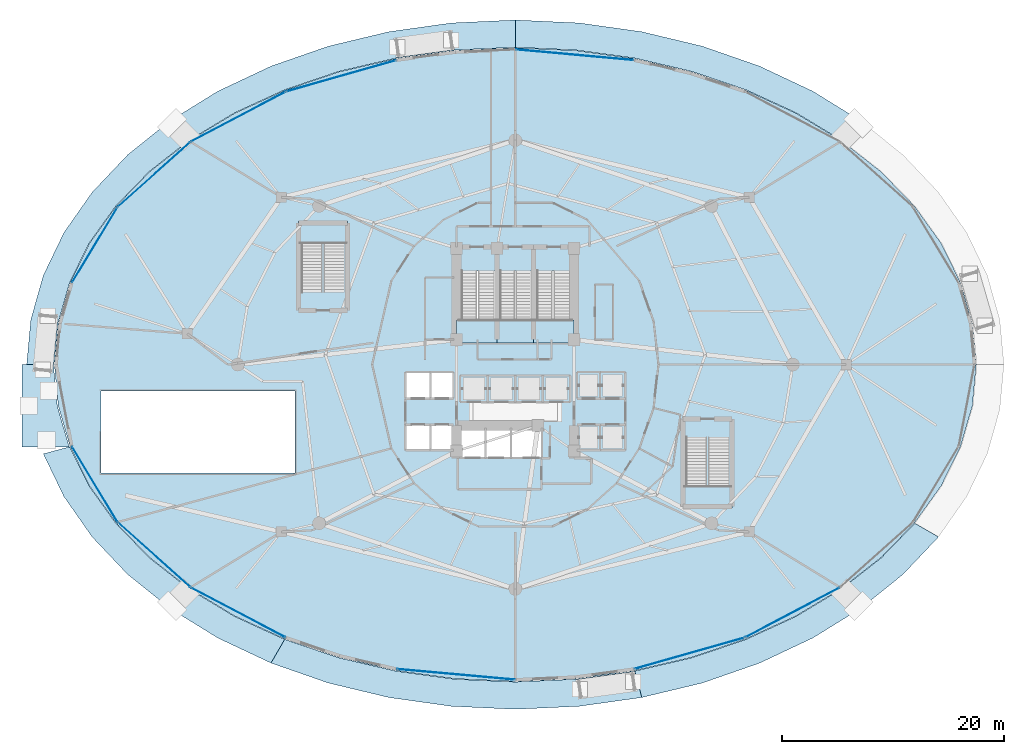
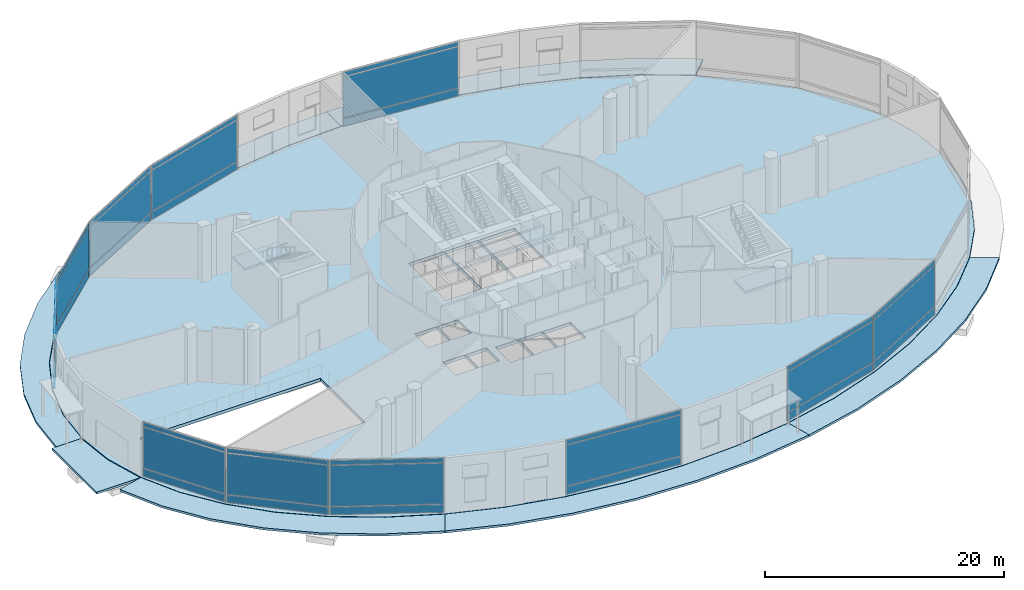
# One storey, part 29 of 40: 33 plates, 13 slabs, 16 elements without a shape of their own.
"""IFC4 building model written with IfcOpenShell, lengths in metres."""

from ifc_helpers import new_model, si_unit, direction, frame, origin, origin_2d, place, context, subcontext, project, spatial, polyline, rectangle, outline, extrude, material, layer, layer_set, type_object, element, aggregate, save


model = new_model("IFC4")

# Units and contexts
model_context = context("Model", 3, precision=1e-05, world=origin(), true_north=direction((0.0, 1.0)))
body_context = subcontext(model_context, "Body", "Model", "MODEL_VIEW")
ifc_project = project(units=[si_unit("LENGTHUNIT", "METRE"), si_unit("AREAUNIT", "SQUARE_METRE"), si_unit("VOLUMEUNIT", "CUBIC_METRE"), si_unit("PLANEANGLEUNIT", "RADIAN"), si_unit("MASSUNIT", "GRAM", prefix="KILO")], contexts=[model_context])

# Site, building, storey
site_placement = place(None, origin())
site = spatial("IfcSite", under=ifc_project, at=site_placement, CompositionType="ELEMENT")
building_placement = place(site_placement, origin())
building = spatial("IfcBuilding", under=site, at=building_placement, Name="Nuhasar Tower", CompositionType="ELEMENT")
storey_placement = place(building_placement, origin())
storey = spatial("IfcBuildingStorey", under=building, at=storey_placement, Name="L00", CompositionType="ELEMENT", Elevation=0.0)

# Curtain wall, plates
ifc_material_1 = material(Name="Aluminium 6063-T6", Category="aluminium")
ifc_layer_1 = layer(ifc_material_1, 0.219970703125)
ifc_layer_set_1 = layer_set([ifc_layer_1], Name="Aluminium 6063-T6")
curtain_wall_type = type_object("IfcCurtainWallType", Name="CW-PODIUM", PredefinedType="NOTDEFINED", material=ifc_layer_set_1)
curtain_wall_1_placement = place(storey_placement, origin())
curtain_wall_1 = element("IfcCurtainWall", 1, at=curtain_wall_1_placement, inside=storey, type_object=curtain_wall_type, Name="L00 Podium Curtain Wall Bay 06", PredefinedType="NOTDEFINED")
ifc_material_2 = material(Name="Glass Double Low-E", Category="glass")
ifc_layer_2 = layer(ifc_material_2, 0.028076171875)
ifc_layer_set_2 = layer_set([ifc_layer_2], Name="Glass Double Low-E")
plate_type_1 = type_object("IfcPlateType", Name="CW-PANEL-GLZ", PredefinedType="CURTAIN_PANEL", material=ifc_layer_set_2)
plate_1_placement = place(storey_placement, frame((44.362548828125, 54.755615234375, 0.9375), z_axis=(0.0, 0.0, 1.0), x_axis=(-0.995943289888, 0.089983128015, 0.0)))
plate_1 = element("IfcPlate", 2, at=plate_1_placement, type_object=plate_type_1, Name="CW-P1 panel 1.2", PredefinedType="CURTAIN_PANEL", context=body_context, shape_type="SweptSolid", body=[
    extrude(rectangle(XDim=10.61865234375, YDim=0.028076171875, at=origin_2d()), origin(), (0.0, 0.0, 1.0), 4.175048828125),
])
plate_2_placement = place(storey_placement, frame((44.362548828125, 54.755615234375, 5.1875), z_axis=(0.0, 0.0, 1.0), x_axis=(-0.995943289888, 0.089983128015, 0.0)))
plate_2 = element("IfcPlate", 3, at=plate_2_placement, type_object=plate_type_1, Name="CW-P1 panel 1.3", PredefinedType="CURTAIN_PANEL", context=body_context, shape_type="SweptSolid", body=[
    extrude(rectangle(XDim=10.61865234375, YDim=0.028076171875, at=origin_2d()), origin(), (0.0, 0.0, 1.0), 0.4375),
])

curtain_wall_2_placement = place(storey_placement, origin())
curtain_wall_2 = element("IfcCurtainWall", 4, at=curtain_wall_2_placement, inside=storey, type_object=curtain_wall_type, Name="L00 Podium Curtain Wall Bay 08", PredefinedType="NOTDEFINED")
plate_3_placement = place(storey_placement, frame((23.277587890625, 52.8505859375, 0.9375), z_axis=(0.0, 0.0, 1.0), x_axis=(-0.961897112821, -0.273411675586, 0.0)))
plate_3 = element("IfcPlate", 5, at=plate_3_placement, type_object=plate_type_1, Name="CW-P1 panel 1.2", PredefinedType="CURTAIN_PANEL", context=body_context, shape_type="SweptSolid", body=[
    extrude(rectangle(XDim=10.240966796875, YDim=0.028076171875, at=origin_2d()), origin(), (0.0, 0.0, 1.0), 4.175048828125),
])
plate_4_placement = place(storey_placement, frame((23.277587890625, 52.8505859375, 5.1875), z_axis=(0.0, 0.0, 1.0), x_axis=(-0.961897112821, -0.273411675586, 0.0)))
plate_4 = element("IfcPlate", 6, at=plate_4_placement, type_object=plate_type_1, Name="CW-P1 panel 1.3", PredefinedType="CURTAIN_PANEL", context=body_context, shape_type="SweptSolid", body=[
    extrude(rectangle(XDim=10.240966796875, YDim=0.028076171875, at=origin_2d()), origin(), (0.0, 0.0, 1.0), 0.4375),
])

curtain_wall_3_placement = place(storey_placement, origin())
curtain_wall_3 = element("IfcCurtainWall", 7, at=curtain_wall_3_placement, inside=storey, type_object=curtain_wall_type, Name="L00 Podium Curtain Wall Bay 09", PredefinedType="NOTDEFINED")
plate_5_placement = place(storey_placement, frame((13.988525390625, 49.169921875, 0.9375), z_axis=(0.0, 0.0, 1.0), x_axis=(-0.88480638751, -0.46595885722, 0.0)))
plate_5 = element("IfcPlate", 8, at=plate_5_placement, type_object=plate_type_1, Name="CW-P1 panel 1.2", PredefinedType="CURTAIN_PANEL", context=body_context, shape_type="SweptSolid", body=[
    extrude(rectangle(XDim=9.550537109375, YDim=0.028076171875, at=origin_2d()), origin(), (0.0, 0.0, 1.0), 4.175048828125),
])
plate_6_placement = place(storey_placement, frame((13.988525390625, 49.169921875, 5.1875), z_axis=(0.0, 0.0, 1.0), x_axis=(-0.88480638751, -0.46595885722, 0.0)))
plate_6 = element("IfcPlate", 9, at=plate_6_placement, type_object=plate_type_1, Name="CW-P1 panel 1.3", PredefinedType="CURTAIN_PANEL", context=body_context, shape_type="SweptSolid", body=[
    extrude(rectangle(XDim=9.550537109375, YDim=0.028076171875, at=origin_2d()), origin(), (0.0, 0.0, 1.0), 0.4375),
])

curtain_wall_4_placement = place(storey_placement, origin())
curtain_wall_4 = element("IfcCurtainWall", 10, at=curtain_wall_4_placement, inside=storey, type_object=curtain_wall_type, Name="L00 Podium Curtain Wall Bay 10", PredefinedType="NOTDEFINED")
plate_7_placement = place(storey_placement, frame((6.404541015625, 43.965087890625, 0.9375), z_axis=(0.0, 0.0, 1.0), x_axis=(-0.745344915348, -0.666679051092, 0.0)))
plate_7 = element("IfcPlate", 11, at=plate_7_placement, type_object=plate_type_1, Name="CW-P1 panel 1.2", PredefinedType="CURTAIN_PANEL", context=body_context, shape_type="SweptSolid", body=[
    extrude(rectangle(XDim=8.684814453125, YDim=0.028076171875, at=origin_2d()), origin(), (0.0, 0.0, 1.0), 4.175048828125),
])
plate_8_placement = place(storey_placement, frame((6.404541015625, 43.965087890625, 5.1875), z_axis=(0.0, 0.0, 1.0), x_axis=(-0.745344915348, -0.666679051092, 0.0)))
plate_8 = element("IfcPlate", 12, at=plate_8_placement, type_object=plate_type_1, Name="CW-P1 panel 1.3", PredefinedType="CURTAIN_PANEL", context=body_context, shape_type="SweptSolid", body=[
    extrude(rectangle(XDim=8.684814453125, YDim=0.028076171875, at=origin_2d()), origin(), (0.0, 0.0, 1.0), 0.4375),
])

curtain_wall_5_placement = place(storey_placement, origin())
curtain_wall_5 = element("IfcCurtainWall", 13, at=curtain_wall_5_placement, inside=storey, type_object=curtain_wall_type, Name="L00 Podium Curtain Wall Bay 11", PredefinedType="NOTDEFINED")
plate_9_placement = place(storey_placement, frame((1.0419921875, 37.590576171875, 0.9375), z_axis=(0.0, 0.0, 1.0), x_axis=(-0.516751732158, -0.856135297317, 0.0)))
plate_9 = element("IfcPlate", 14, at=plate_9_placement, type_object=plate_type_1, Name="CW-P1 panel 1.2", PredefinedType="CURTAIN_PANEL", context=body_context, shape_type="SweptSolid", body=[
    extrude(rectangle(XDim=7.861572265625, YDim=0.028076171875, at=origin_2d()), origin(), (0.0, 0.0, 1.0), 4.175048828125),
])
plate_10_placement = place(storey_placement, frame((1.0419921875, 37.590576171875, 5.1875), z_axis=(0.0, 0.0, 1.0), x_axis=(-0.516751732158, -0.856135297317, 0.0)))
plate_10 = element("IfcPlate", 15, at=plate_10_placement, type_object=plate_type_1, Name="CW-P1 panel 1.3", PredefinedType="CURTAIN_PANEL", context=body_context, shape_type="SweptSolid", body=[
    extrude(rectangle(XDim=7.861572265625, YDim=0.028076171875, at=origin_2d()), origin(), (0.0, 0.0, 1.0), 0.4375),
])

curtain_wall_6_placement = place(storey_placement, origin())
curtain_wall_6 = element("IfcCurtainWall", 16, at=curtain_wall_6_placement, inside=storey, type_object=curtain_wall_type, Name="L00 Podium Curtain Wall Bay 14", PredefinedType="NOTDEFINED")
plate_11_placement = place(storey_placement, frame((1.0419921875, 16.009521484375, 0.9375), z_axis=(0.0, 0.0, 1.0), x_axis=(0.516751732158, -0.856135297317, 0.0)))
plate_11 = element("IfcPlate", 17, at=plate_11_placement, type_object=plate_type_1, Name="CW-P1 panel 1.2", PredefinedType="CURTAIN_PANEL", context=body_context, shape_type="SweptSolid", body=[
    extrude(rectangle(XDim=7.861572265625, YDim=0.028076171875, at=origin_2d()), origin(), (0.0, 0.0, 1.0), 4.175048828125),
])
plate_12_placement = place(storey_placement, frame((1.0419921875, 16.009521484375, 5.1875), z_axis=(0.0, 0.0, 1.0), x_axis=(0.516751732158, -0.856135297317, 0.0)))
plate_12 = element("IfcPlate", 18, at=plate_12_placement, type_object=plate_type_1, Name="CW-P1 panel 1.3", PredefinedType="CURTAIN_PANEL", context=body_context, shape_type="SweptSolid", body=[
    extrude(rectangle(XDim=7.861572265625, YDim=0.028076171875, at=origin_2d()), origin(), (0.0, 0.0, 1.0), 0.4375),
])

curtain_wall_7_placement = place(storey_placement, origin())
curtain_wall_7 = element("IfcCurtainWall", 19, at=curtain_wall_7_placement, inside=storey, type_object=curtain_wall_type, Name="L00 Podium Curtain Wall Bay 15", PredefinedType="NOTDEFINED")
plate_13_placement = place(storey_placement, frame((6.404541015625, 9.635009765625, 0.9375), z_axis=(0.0, 0.0, 1.0), x_axis=(0.745344915348, -0.666679051092, 0.0)))
plate_13 = element("IfcPlate", 20, at=plate_13_placement, type_object=plate_type_1, Name="CW-P1 panel 1.2", PredefinedType="CURTAIN_PANEL", context=body_context, shape_type="SweptSolid", body=[
    extrude(rectangle(XDim=8.684814453125, YDim=0.028076171875, at=origin_2d()), origin(), (0.0, 0.0, 1.0), 4.175048828125),
])
plate_14_placement = place(storey_placement, frame((6.404541015625, 9.635009765625, 5.1875), z_axis=(0.0, 0.0, 1.0), x_axis=(0.745344915348, -0.666679051092, 0.0)))
plate_14 = element("IfcPlate", 21, at=plate_14_placement, type_object=plate_type_1, Name="CW-P1 panel 1.3", PredefinedType="CURTAIN_PANEL", context=body_context, shape_type="SweptSolid", body=[
    extrude(rectangle(XDim=8.684814453125, YDim=0.028076171875, at=origin_2d()), origin(), (0.0, 0.0, 1.0), 0.4375),
])

curtain_wall_8_placement = place(storey_placement, origin())
curtain_wall_8 = element("IfcCurtainWall", 22, at=curtain_wall_8_placement, inside=storey, type_object=curtain_wall_type, Name="L00 Podium Curtain Wall Bay 16", PredefinedType="NOTDEFINED")
plate_15_placement = place(storey_placement, frame((13.988525390625, 4.429931640625, 0.9375), z_axis=(0.0, 0.0, 1.0), x_axis=(0.88480638751, -0.46595885722, 0.0)))
plate_15 = element("IfcPlate", 23, at=plate_15_placement, type_object=plate_type_1, Name="CW-P1 panel 1.2", PredefinedType="CURTAIN_PANEL", context=body_context, shape_type="SweptSolid", body=[
    extrude(rectangle(XDim=9.550537109375, YDim=0.028076171875, at=origin_2d()), origin(), (0.0, 0.0, 1.0), 4.175048828125),
])
plate_16_placement = place(storey_placement, frame((13.988525390625, 4.429931640625, 5.1875), z_axis=(0.0, 0.0, 1.0), x_axis=(0.88480638751, -0.46595885722, 0.0)))
plate_16 = element("IfcPlate", 24, at=plate_16_placement, type_object=plate_type_1, Name="CW-P1 panel 1.3", PredefinedType="CURTAIN_PANEL", context=body_context, shape_type="SweptSolid", body=[
    extrude(rectangle(XDim=9.550537109375, YDim=0.028076171875, at=origin_2d()), origin(), (0.0, 0.0, 1.0), 0.4375),
])

curtain_wall_9_placement = place(storey_placement, origin())
curtain_wall_9 = element("IfcCurtainWall", 25, at=curtain_wall_9_placement, inside=storey, type_object=curtain_wall_type, Name="L00 Podium Curtain Wall Bay 18", PredefinedType="NOTDEFINED")
plate_17_placement = place(storey_placement, frame((33.637451171875, -1.155517578125, 0.9375), z_axis=(0.0, 0.0, 1.0), x_axis=(0.995943289888, -0.089983128015, 0.0)))
plate_17 = element("IfcPlate", 26, at=plate_17_placement, type_object=plate_type_1, Name="CW-P1 panel 1.2", PredefinedType="CURTAIN_PANEL", context=body_context, shape_type="SweptSolid", body=[
    extrude(rectangle(XDim=10.61865234375, YDim=0.028076171875, at=origin_2d()), origin(), (0.0, 0.0, 1.0), 4.175048828125),
])
plate_18_placement = place(storey_placement, frame((33.637451171875, -1.155517578125, 5.1875), z_axis=(0.0, 0.0, 1.0), x_axis=(0.995943289888, -0.089983128015, 0.0)))
plate_18 = element("IfcPlate", 27, at=plate_18_placement, type_object=plate_type_1, Name="CW-P1 panel 1.3", PredefinedType="CURTAIN_PANEL", context=body_context, shape_type="SweptSolid", body=[
    extrude(rectangle(XDim=10.61865234375, YDim=0.028076171875, at=origin_2d()), origin(), (0.0, 0.0, 1.0), 0.4375),
])

curtain_wall_10_placement = place(storey_placement, origin())
curtain_wall_10 = element("IfcCurtainWall", 28, at=curtain_wall_10_placement, inside=storey, type_object=curtain_wall_type, Name="L00 Podium Curtain Wall Bay 20", PredefinedType="NOTDEFINED")
plate_19_placement = place(storey_placement, frame((54.722412109375, 0.74951171875, 0.9375), z_axis=(0.0, 0.0, 1.0), x_axis=(0.961897112821, 0.273411675586, 0.0)))
plate_19 = element("IfcPlate", 29, at=plate_19_placement, type_object=plate_type_1, Name="CW-P1 panel 1.2", PredefinedType="CURTAIN_PANEL", context=body_context, shape_type="SweptSolid", body=[
    extrude(rectangle(XDim=10.240966796875, YDim=0.028076171875, at=origin_2d()), origin(), (0.0, 0.0, 1.0), 4.175048828125),
])
plate_20_placement = place(storey_placement, frame((54.722412109375, 0.74951171875, 5.1875), z_axis=(0.0, 0.0, 1.0), x_axis=(0.961897112821, 0.273411675586, 0.0)))
plate_20 = element("IfcPlate", 30, at=plate_20_placement, type_object=plate_type_1, Name="CW-P1 panel 1.3", PredefinedType="CURTAIN_PANEL", context=body_context, shape_type="SweptSolid", body=[
    extrude(rectangle(XDim=10.240966796875, YDim=0.028076171875, at=origin_2d()), origin(), (0.0, 0.0, 1.0), 0.4375),
])

curtain_wall_11_placement = place(storey_placement, origin())
curtain_wall_11 = element("IfcCurtainWall", 31, at=curtain_wall_11_placement, inside=storey, type_object=curtain_wall_type, Name="L00 Podium Curtain Wall Bay 21", PredefinedType="NOTDEFINED")
plate_21_placement = place(storey_placement, frame((64.011474609375, 4.429931640625, 0.9375), z_axis=(0.0, 0.0, 1.0), x_axis=(0.88480638751, 0.46595885722, 0.0)))
plate_21 = element("IfcPlate", 32, at=plate_21_placement, type_object=plate_type_1, Name="CW-P1 panel 1.2", PredefinedType="CURTAIN_PANEL", context=body_context, shape_type="SweptSolid", body=[
    extrude(rectangle(XDim=9.550537109375, YDim=0.028076171875, at=origin_2d()), origin(), (0.0, 0.0, 1.0), 4.175048828125),
])
plate_22_placement = place(storey_placement, frame((64.011474609375, 4.429931640625, 5.1875), z_axis=(0.0, 0.0, 1.0), x_axis=(0.88480638751, 0.46595885722, 0.0)))
plate_22 = element("IfcPlate", 33, at=plate_22_placement, type_object=plate_type_1, Name="CW-P1 panel 1.3", PredefinedType="CURTAIN_PANEL", context=body_context, shape_type="SweptSolid", body=[
    extrude(rectangle(XDim=9.550537109375, YDim=0.028076171875, at=origin_2d()), origin(), (0.0, 0.0, 1.0), 0.4375),
])

# Plate
ifc_material_3 = material(Name="Glass Spandrel", Category="glass")
ifc_layer_3 = layer(ifc_material_3, 0.035888671875)
ifc_layer_set_3 = layer_set([ifc_layer_3], Name="Glass Spandrel")
plate_type_2 = type_object("IfcPlateType", Name="CW-PANEL-SPN", PredefinedType="CURTAIN_PANEL", material=ifc_layer_set_3)
plate_23_placement = place(storey_placement, frame((44.362548828125, 54.755615234375, 0.074951171875), z_axis=(0.0, 0.0, 1.0), x_axis=(-0.995943289888, 0.089983128015, 0.0)))
plate_23 = element("IfcPlate", 34, at=plate_23_placement, type_object=plate_type_2, Name="CW-P1 panel 1.1", PredefinedType="CURTAIN_PANEL", context=body_context, shape_type="SweptSolid", body=[
    extrude(rectangle(XDim=10.61865234375, YDim=0.035888671875, at=origin_2d()), origin(), (0.0, 0.0, 1.0), 0.78759765625),
])

aggregate(curtain_wall_1, [plate_23, plate_1, plate_2])

plate_24_placement = place(storey_placement, frame((23.277587890625, 52.8505859375, 0.074951171875), z_axis=(0.0, 0.0, 1.0), x_axis=(-0.961897112821, -0.273411675586, 0.0)))
plate_24 = element("IfcPlate", 35, at=plate_24_placement, type_object=plate_type_2, Name="CW-P1 panel 1.1", PredefinedType="CURTAIN_PANEL", context=body_context, shape_type="SweptSolid", body=[
    extrude(rectangle(XDim=10.240966796875, YDim=0.035888671875, at=origin_2d()), origin(), (0.0, 0.0, 1.0), 0.78759765625),
])

aggregate(curtain_wall_2, [plate_24, plate_3, plate_4])

plate_25_placement = place(storey_placement, frame((13.988525390625, 49.169921875, 0.074951171875), z_axis=(0.0, 0.0, 1.0), x_axis=(-0.88480638751, -0.46595885722, 0.0)))
plate_25 = element("IfcPlate", 36, at=plate_25_placement, type_object=plate_type_2, Name="CW-P1 panel 1.1", PredefinedType="CURTAIN_PANEL", context=body_context, shape_type="SweptSolid", body=[
    extrude(rectangle(XDim=9.550537109375, YDim=0.035888671875, at=origin_2d()), origin(), (0.0, 0.0, 1.0), 0.78759765625),
])

aggregate(curtain_wall_3, [plate_25, plate_5, plate_6])

plate_26_placement = place(storey_placement, frame((6.404541015625, 43.965087890625, 0.074951171875), z_axis=(0.0, 0.0, 1.0), x_axis=(-0.745344915348, -0.666679051092, 0.0)))
plate_26 = element("IfcPlate", 37, at=plate_26_placement, type_object=plate_type_2, Name="CW-P1 panel 1.1", PredefinedType="CURTAIN_PANEL", context=body_context, shape_type="SweptSolid", body=[
    extrude(rectangle(XDim=8.684814453125, YDim=0.035888671875, at=origin_2d()), origin(), (0.0, 0.0, 1.0), 0.78759765625),
])

aggregate(curtain_wall_4, [plate_26, plate_7, plate_8])

plate_27_placement = place(storey_placement, frame((1.0419921875, 37.590576171875, 0.074951171875), z_axis=(0.0, 0.0, 1.0), x_axis=(-0.516751732158, -0.856135297317, 0.0)))
plate_27 = element("IfcPlate", 38, at=plate_27_placement, type_object=plate_type_2, Name="CW-P1 panel 1.1", PredefinedType="CURTAIN_PANEL", context=body_context, shape_type="SweptSolid", body=[
    extrude(rectangle(XDim=7.861572265625, YDim=0.035888671875, at=origin_2d()), origin(), (0.0, 0.0, 1.0), 0.78759765625),
])

aggregate(curtain_wall_5, [plate_27, plate_9, plate_10])

plate_28_placement = place(storey_placement, frame((1.0419921875, 16.009521484375, 0.074951171875), z_axis=(0.0, 0.0, 1.0), x_axis=(0.516751732158, -0.856135297317, 0.0)))
plate_28 = element("IfcPlate", 39, at=plate_28_placement, type_object=plate_type_2, Name="CW-P1 panel 1.1", PredefinedType="CURTAIN_PANEL", context=body_context, shape_type="SweptSolid", body=[
    extrude(rectangle(XDim=7.861572265625, YDim=0.035888671875, at=origin_2d()), origin(), (0.0, 0.0, 1.0), 0.78759765625),
])

aggregate(curtain_wall_6, [plate_28, plate_11, plate_12])

plate_29_placement = place(storey_placement, frame((6.404541015625, 9.635009765625, 0.074951171875), z_axis=(0.0, 0.0, 1.0), x_axis=(0.745344915348, -0.666679051092, 0.0)))
plate_29 = element("IfcPlate", 40, at=plate_29_placement, type_object=plate_type_2, Name="CW-P1 panel 1.1", PredefinedType="CURTAIN_PANEL", context=body_context, shape_type="SweptSolid", body=[
    extrude(rectangle(XDim=8.684814453125, YDim=0.035888671875, at=origin_2d()), origin(), (0.0, 0.0, 1.0), 0.78759765625),
])

aggregate(curtain_wall_7, [plate_29, plate_13, plate_14])

plate_30_placement = place(storey_placement, frame((13.988525390625, 4.429931640625, 0.074951171875), z_axis=(0.0, 0.0, 1.0), x_axis=(0.88480638751, -0.46595885722, 0.0)))
plate_30 = element("IfcPlate", 41, at=plate_30_placement, type_object=plate_type_2, Name="CW-P1 panel 1.1", PredefinedType="CURTAIN_PANEL", context=body_context, shape_type="SweptSolid", body=[
    extrude(rectangle(XDim=9.550537109375, YDim=0.035888671875, at=origin_2d()), origin(), (0.0, 0.0, 1.0), 0.78759765625),
])

aggregate(curtain_wall_8, [plate_30, plate_15, plate_16])

plate_31_placement = place(storey_placement, frame((33.637451171875, -1.155517578125, 0.074951171875), z_axis=(0.0, 0.0, 1.0), x_axis=(0.995943289888, -0.089983128015, 0.0)))
plate_31 = element("IfcPlate", 42, at=plate_31_placement, type_object=plate_type_2, Name="CW-P1 panel 1.1", PredefinedType="CURTAIN_PANEL", context=body_context, shape_type="SweptSolid", body=[
    extrude(rectangle(XDim=10.61865234375, YDim=0.035888671875, at=origin_2d()), origin(), (0.0, 0.0, 1.0), 0.78759765625),
])

aggregate(curtain_wall_9, [plate_31, plate_17, plate_18])

plate_32_placement = place(storey_placement, frame((54.722412109375, 0.74951171875, 0.074951171875), z_axis=(0.0, 0.0, 1.0), x_axis=(0.961897112821, 0.273411675586, 0.0)))
plate_32 = element("IfcPlate", 43, at=plate_32_placement, type_object=plate_type_2, Name="CW-P1 panel 1.1", PredefinedType="CURTAIN_PANEL", context=body_context, shape_type="SweptSolid", body=[
    extrude(rectangle(XDim=10.240966796875, YDim=0.035888671875, at=origin_2d()), origin(), (0.0, 0.0, 1.0), 0.78759765625),
])

aggregate(curtain_wall_10, [plate_32, plate_19, plate_20])

plate_33_placement = place(storey_placement, frame((64.011474609375, 4.429931640625, 0.074951171875), z_axis=(0.0, 0.0, 1.0), x_axis=(0.88480638751, 0.46595885722, 0.0)))
plate_33 = element("IfcPlate", 44, at=plate_33_placement, type_object=plate_type_2, Name="CW-P1 panel 1.1", PredefinedType="CURTAIN_PANEL", context=body_context, shape_type="SweptSolid", body=[
    extrude(rectangle(XDim=9.550537109375, YDim=0.035888671875, at=origin_2d()), origin(), (0.0, 0.0, 1.0), 0.78759765625),
])

aggregate(curtain_wall_11, [plate_33, plate_21, plate_22])

# Slabs
ifc_material_4 = material(Name="Concrete C40/50", Category="concrete")
ifc_layer_4 = layer(ifc_material_4, 0.219970703125)
ifc_layer_set_4 = layer_set([ifc_layer_4], Name="Concrete C40/50")
slab_type_1 = type_object("IfcSlabType", Name="SLB-PAV-220", PredefinedType="USERDEFINED", material=ifc_layer_set_4)
slab_1_placement = place(storey_placement, frame((0.0, 0.0, -0.219970703125)))
element("IfcSlab", 45, at=slab_1_placement, inside=storey, type_object=slab_type_1, Name="L00 Arrival Forecourt Plaza NE", ObjectType="PAVING", PredefinedType="USERDEFINED", context=body_context, shape_type="SweptSolid", body=[
    extrude(outline(polyline([(70.18310546875, 48.791015625), (65.845947265625, 51.472900390625), (61.050048828125, 53.73291015625), (55.8759765625, 55.532958984375), (50.4140625, 56.840087890625), (44.756103515625, 57.634033203125), (39.0, 57.89990234375), (39.0, 55.429931640625), (44.43408203125, 55.18505859375), (49.77490234375, 54.4541015625), (54.930908203125, 53.2509765625), (59.81494140625, 51.593994140625), (64.343017578125, 49.513916015625), (68.43701171875, 47.0439453125), (70.18310546875, 48.791015625)])), origin(), (0.0, 0.0, 1.0), 0.219970703125),
])
slab_2_placement = place(storey_placement, frame((0.0, 0.0, -0.219970703125)))
element("IfcSlab", 46, at=slab_2_placement, inside=storey, type_object=slab_type_1, Name="L00 Arrival Forecourt Plaza N", ObjectType="PAVING", PredefinedType="USERDEFINED", context=body_context, shape_type="SweptSolid", body=[
    extrude(outline(polyline([(39.0, 57.89990234375), (33.243896484375, 57.634033203125), (27.5859375, 56.840087890625), (22.1240234375, 55.532958984375), (16.949951171875, 53.73291015625), (12.154052734375, 51.472900390625), (7.81689453125, 48.791015625), (9.56298828125, 47.0439453125), (13.656982421875, 49.513916015625), (18.18505859375, 51.593994140625), (23.069091796875, 53.2509765625), (28.22509765625, 54.4541015625), (33.56591796875, 55.18505859375), (39.0, 55.429931640625), (39.0, 57.89990234375)])), origin(), (0.0, 0.0, 1.0), 0.219970703125),
])
slab_3_placement = place(storey_placement, frame((0.0, 0.0, -0.219970703125)))
element("IfcSlab", 47, at=slab_3_placement, inside=storey, type_object=slab_type_1, Name="L00 Arrival Forecourt Plaza NW", ObjectType="PAVING", PredefinedType="USERDEFINED", context=body_context, shape_type="SweptSolid", body=[
    extrude(outline(polyline([(7.81689453125, 48.791015625), (4.012939453125, 45.73193359375), (0.80810546875, 42.35009765625), (-1.742919921875, 38.700927734375), (-3.596923828125, 34.84912109375), (-4.722900390625, 30.85888671875), (-5.10009765625, 26.800048828125), (-2.6298828125, 26.800048828125), (-2.27392578125, 30.537109375), (-1.2109375, 34.2099609375), (0.5390625, 37.756103515625), (2.947021484375, 41.114990234375), (5.972900390625, 44.22900390625), (9.56298828125, 47.0439453125), (7.81689453125, 48.791015625)])), origin(), (0.0, 0.0, 1.0), 0.219970703125),
])
slab_4_placement = place(storey_placement, frame((0.0, 0.0, -0.219970703125)))
element("IfcSlab", 48, at=slab_4_placement, inside=storey, type_object=slab_type_1, Name="L00 Arrival Forecourt Plaza SW", ObjectType="PAVING", PredefinedType="USERDEFINED", context=body_context, shape_type="SweptSolid", body=[
    extrude(outline(polyline([(-3.596923828125, 18.7509765625), (-1.742919921875, 14.89892578125), (0.80810546875, 11.25), (4.012939453125, 7.867919921875), (7.81689453125, 4.80908203125), (12.154052734375, 2.126953125), (16.949951171875, -0.133056640625), (18.18505859375, 2.006103515625), (13.656982421875, 4.0859375), (9.56298828125, 6.555908203125), (5.972900390625, 9.37109375), (2.947021484375, 12.485107421875), (0.5390625, 15.843994140625), (-1.2109375, 19.389892578125), (-3.596923828125, 18.7509765625)])), origin(), (0.0, 0.0, 1.0), 0.219970703125),
])
slab_5_placement = place(storey_placement, frame((0.0, 0.0, -0.219970703125)))
element("IfcSlab", 49, at=slab_5_placement, inside=storey, type_object=slab_type_1, Name="L00 Arrival Forecourt Plaza S", ObjectType="PAVING", PredefinedType="USERDEFINED", context=body_context, shape_type="SweptSolid", body=[
    extrude(outline(polyline([(16.949951171875, -0.133056640625), (22.1240234375, -1.93310546875), (27.5859375, -3.239990234375), (33.243896484375, -4.033935546875), (39.0, -4.300048828125), (44.756103515625, -4.033935546875), (50.4140625, -3.239990234375), (49.77490234375, -0.85400390625), (44.43408203125, -1.5849609375), (39.0, -1.830078125), (33.56591796875, -1.5849609375), (28.22509765625, -0.85400390625), (23.069091796875, 0.34912109375), (18.18505859375, 2.006103515625), (16.949951171875, -0.133056640625)])), origin(), (0.0, 0.0, 1.0), 0.219970703125),
])
slab_6_placement = place(storey_placement, frame((0.0, 0.0, -0.219970703125)))
element("IfcSlab", 50, at=slab_6_placement, inside=storey, type_object=slab_type_1, Name="L00 Arrival Forecourt Plaza SE", ObjectType="PAVING", PredefinedType="USERDEFINED", context=body_context, shape_type="SweptSolid", body=[
    extrude(outline(polyline([(50.4140625, -3.239990234375), (55.8759765625, -1.93310546875), (61.050048828125, -0.133056640625), (65.845947265625, 2.126953125), (70.18310546875, 4.80908203125), (73.987060546875, 7.867919921875), (77.19189453125, 11.25), (75.052978515625, 12.485107421875), (72.027099609375, 9.37109375), (68.43701171875, 6.555908203125), (64.343017578125, 4.0859375), (59.81494140625, 2.006103515625), (54.930908203125, 0.34912109375), (49.77490234375, -0.85400390625), (50.4140625, -3.239990234375)])), origin(), (0.0, 0.0, 1.0), 0.219970703125),
])
slab_7_placement = place(storey_placement, frame((0.0, 0.0, -0.219970703125)))
element("IfcSlab", 51, at=slab_7_placement, inside=storey, type_object=slab_type_1, Name="L00 West Vehicular Ramp Driveway Apron", ObjectType="PAVING", PredefinedType="USERDEFINED", context=body_context, shape_type="SweptSolid", body=[
    extrude(outline(polyline([(-2.679931640625, 26.800048828125), (-5.5, 26.800048828125), (-5.5, 19.376953125), (-1.260009765625, 19.376953125), (-2.322998046875, 23.056884765625), (-2.679931640625, 26.800048828125)])), origin(), (0.0, 0.0, 1.0), 0.219970703125),
])
ifc_material_5 = material(Name="Concrete C50/60", Category="concrete")
ifc_layer_5 = layer(ifc_material_5, 0.320068359375)
ifc_layer_set_5 = layer_set([ifc_layer_5], Name="Concrete C50/60")
slab_type_2 = type_object("IfcSlabType", Name="SLB-POD-320", PredefinedType="FLOOR", material=ifc_layer_set_5)
slab_8_placement = place(storey_placement, frame((0.0, 0.0, -0.320068359375)))
element("IfcSlab", 52, at=slab_8_placement, inside=storey, type_object=slab_type_2, Name="L00 Structural Slab", PredefinedType="FLOOR", context=body_context, shape_type="SweptSolid", body=[
    extrude(outline(polyline([(80.60009765625, 26.800048828125), (80.243896484375, 30.532958984375), (79.18310546875, 34.201904296875), (77.43310546875, 37.7451171875), (75.027099609375, 41.10009765625), (72.0029296875, 44.2109375), (68.416015625, 47.02294921875), (64.323974609375, 49.489990234375), (59.800048828125, 51.568115234375), (54.919921875, 53.222900390625), (49.76708984375, 54.425048828125), (44.429931640625, 55.155029296875), (39.0, 55.39990234375), (33.570068359375, 55.155029296875), (28.23291015625, 54.425048828125), (23.080078125, 53.222900390625), (18.199951171875, 51.568115234375), (13.676025390625, 49.489990234375), (9.583984375, 47.02294921875), (5.9970703125, 44.2109375), (2.972900390625, 41.10009765625), (0.56689453125, 37.7451171875), (-1.18310546875, 34.201904296875), (-2.243896484375, 30.532958984375), (-2.60009765625, 26.800048828125), (-2.243896484375, 23.06689453125), (-1.18310546875, 19.39794921875), (0.56689453125, 15.85498046875), (2.972900390625, 12.5), (5.9970703125, 9.388916015625), (9.583984375, 6.576904296875), (13.676025390625, 4.110107421875), (18.199951171875, 2.031982421875), (23.080078125, 0.376953125), (28.23291015625, -0.824951171875), (33.570068359375, -1.554931640625), (39.0, -1.800048828125), (44.429931640625, -1.554931640625), (49.76708984375, -0.824951171875), (54.919921875, 0.376953125), (59.800048828125, 2.031982421875), (64.323974609375, 4.110107421875), (68.416015625, 6.576904296875), (72.0029296875, 9.388916015625), (75.027099609375, 12.5), (77.43310546875, 15.85498046875), (79.18310546875, 19.39794921875), (80.243896484375, 23.06689453125), (80.60009765625, 26.800048828125)]), holes=[polyline([(33.8798828125, 35.25), (37.300048828125, 35.25), (37.300048828125, 29.0), (33.8798828125, 29.0), (33.8798828125, 35.25)]), polyline([(37.39990234375, 35.25), (40.60009765625, 35.25), (40.60009765625, 29.0), (37.39990234375, 29.0), (37.39990234375, 35.25)]), polyline([(40.699951171875, 35.25), (44.1201171875, 35.25), (44.1201171875, 29.0), (40.699951171875, 29.0), (40.699951171875, 35.25)]), polyline([(29.14990234375, 26.050048828125), (31.300048828125, 26.050048828125), (31.300048828125, 23.800048828125), (29.14990234375, 23.800048828125), (29.14990234375, 26.050048828125)]), polyline([(31.39990234375, 26.050048828125), (33.35009765625, 26.050048828125), (33.35009765625, 23.800048828125), (31.39990234375, 23.800048828125), (31.39990234375, 26.050048828125)]), polyline([(29.14990234375, 21.300048828125), (31.300048828125, 21.300048828125), (31.300048828125, 19.14990234375), (29.14990234375, 19.14990234375), (29.14990234375, 21.300048828125)]), polyline([(31.39990234375, 21.300048828125), (33.35009765625, 21.300048828125), (33.35009765625, 19.14990234375), (31.39990234375, 19.14990234375), (31.39990234375, 21.300048828125)]), polyline([(34.050048828125, 21.0), (36.25, 21.0), (36.25, 18.449951171875), (34.050048828125, 18.449951171875), (34.050048828125, 21.0)]), polyline([(36.35009765625, 21.0), (38.550048828125, 21.0), (38.550048828125, 18.449951171875), (36.35009765625, 18.449951171875), (36.35009765625, 21.0)]), polyline([(38.64990234375, 21.0), (41.320068359375, 21.0), (41.320068359375, 18.449951171875), (38.64990234375, 18.449951171875), (38.64990234375, 21.0)]), polyline([(1.60009765625, 24.39990234375), (19.10009765625, 24.39990234375), (19.10009765625, 17.0), (1.60009765625, 17.0), (1.60009765625, 24.39990234375)])]), origin(), (0.0, 0.0, 1.0), 0.320068359375),
])

# Stair, slab
ifc_material_6 = material(Name="Concrete C45/55", Category="concrete")
stair_type_1 = type_object("IfcStairType", Name="STR-ST-01-2F-34R-1765", PredefinedType="HALF_TURN_STAIR", material=ifc_material_6)
stair_1_placement = place(storey_placement, origin())
stair_1 = element("IfcStair", 53, at=stair_1_placement, inside=storey, type_object=stair_type_1, Name="L00 Exit Stair ST-01", PredefinedType="HALF_TURN_STAIR")
ifc_layer_6 = layer(ifc_material_6, 0.239990234375)
ifc_layer_set_6 = layer_set([ifc_layer_6], Name="Concrete C45/55")
slab_type_3 = type_object("IfcSlabType", Name="SLB-STAIR-LND-240", PredefinedType="LANDING", material=ifc_layer_set_6)
slab_9_placement = place(storey_placement, frame((0.0, 0.0, 2.760009765625)))
slab_9 = element("IfcSlab", 54, at=slab_9_placement, type_object=slab_type_3, Name="ST-01 landing 1", PredefinedType="LANDING", context=body_context, shape_type="SweptSolid", body=[
    extrude(outline(polyline([(33.699951171875, 28.75), (37.35009765625, 28.75), (37.35009765625, 30.840087890625), (33.699951171875, 30.840087890625), (33.699951171875, 28.75)])), origin(), (0.0, 0.0, 1.0), 0.239990234375),
])
aggregate(stair_1, [slab_9])

stair_type_2 = type_object("IfcStairType", Name="STR-ST-03-2F-34R-1765", PredefinedType="HALF_TURN_STAIR", material=ifc_material_6)
stair_2_placement = place(storey_placement, origin())
stair_2 = element("IfcStair", 55, at=stair_2_placement, inside=storey, type_object=stair_type_2, Name="L00 Exit Stair ST-03", PredefinedType="HALF_TURN_STAIR")
slab_10_placement = place(storey_placement, frame((0.0, 0.0, 2.760009765625)))
slab_10 = element("IfcSlab", 56, at=slab_10_placement, type_object=slab_type_3, Name="ST-03 landing 1", PredefinedType="LANDING", context=body_context, shape_type="SweptSolid", body=[
    extrude(outline(polyline([(37.35009765625, 28.75), (40.64990234375, 28.75), (40.64990234375, 30.840087890625), (37.35009765625, 30.840087890625), (37.35009765625, 28.75)])), origin(), (0.0, 0.0, 1.0), 0.239990234375),
])
aggregate(stair_2, [slab_10])

stair_type_3 = type_object("IfcStairType", Name="STR-ST-02-2F-34R-1765", PredefinedType="HALF_TURN_STAIR", material=ifc_material_6)
stair_3_placement = place(storey_placement, origin())
stair_3 = element("IfcStair", 57, at=stair_3_placement, inside=storey, type_object=stair_type_3, Name="L00 Exit Stair ST-02", PredefinedType="HALF_TURN_STAIR")
slab_11_placement = place(storey_placement, frame((0.0, 0.0, 2.760009765625)))
slab_11 = element("IfcSlab", 58, at=slab_11_placement, type_object=slab_type_3, Name="ST-02 landing 1", PredefinedType="LANDING", context=body_context, shape_type="SweptSolid", body=[
    extrude(outline(polyline([(40.64990234375, 28.75), (44.300048828125, 28.75), (44.300048828125, 30.840087890625), (40.64990234375, 30.840087890625), (40.64990234375, 28.75)])), origin(), (0.0, 0.0, 1.0), 0.239990234375),
])
aggregate(stair_3, [slab_11])

stair_type_4 = type_object("IfcStairType", Name="STR-ST-04-2F-34R-1765", PredefinedType="HALF_TURN_STAIR", material=ifc_material_6)
stair_4_placement = place(storey_placement, origin())
stair_4 = element("IfcStair", 59, at=stair_4_placement, inside=storey, type_object=stair_type_4, Name="L00 Exit Stair ST-04", PredefinedType="HALF_TURN_STAIR")
slab_12_placement = place(storey_placement, frame((0.0, 0.0, 2.760009765625)))
slab_12 = element("IfcSlab", 60, at=slab_12_placement, type_object=slab_type_3, Name="ST-04 landing 1", PredefinedType="LANDING", context=body_context, shape_type="SweptSolid", body=[
    extrude(outline(polyline([(19.449951171875, 37.760009765625), (23.85009765625, 37.760009765625), (23.85009765625, 39.75), (19.449951171875, 39.75), (19.449951171875, 37.760009765625)])), origin(), (0.0, 0.0, 1.0), 0.239990234375),
])
aggregate(stair_4, [slab_12])

stair_type_5 = type_object("IfcStairType", Name="STR-ST-05-2F-34R-1765", PredefinedType="HALF_TURN_STAIR", material=ifc_material_6)
stair_5_placement = place(storey_placement, origin())
stair_5 = element("IfcStair", 61, at=stair_5_placement, inside=storey, type_object=stair_type_5, Name="L00 Exit Stair ST-05", PredefinedType="HALF_TURN_STAIR")
slab_13_placement = place(storey_placement, frame((0.0, 0.0, 2.760009765625)))
slab_13 = element("IfcSlab", 62, at=slab_13_placement, type_object=slab_type_3, Name="ST-05 landing 1", PredefinedType="LANDING", context=body_context, shape_type="SweptSolid", body=[
    extrude(outline(polyline([(54.14990234375, 13.85009765625), (58.550048828125, 13.85009765625), (58.550048828125, 15.840087890625), (54.14990234375, 15.840087890625), (54.14990234375, 13.85009765625)])), origin(), (0.0, 0.0, 1.0), 0.239990234375),
])
aggregate(stair_5, [slab_13])

save(model, "model.ifc")
